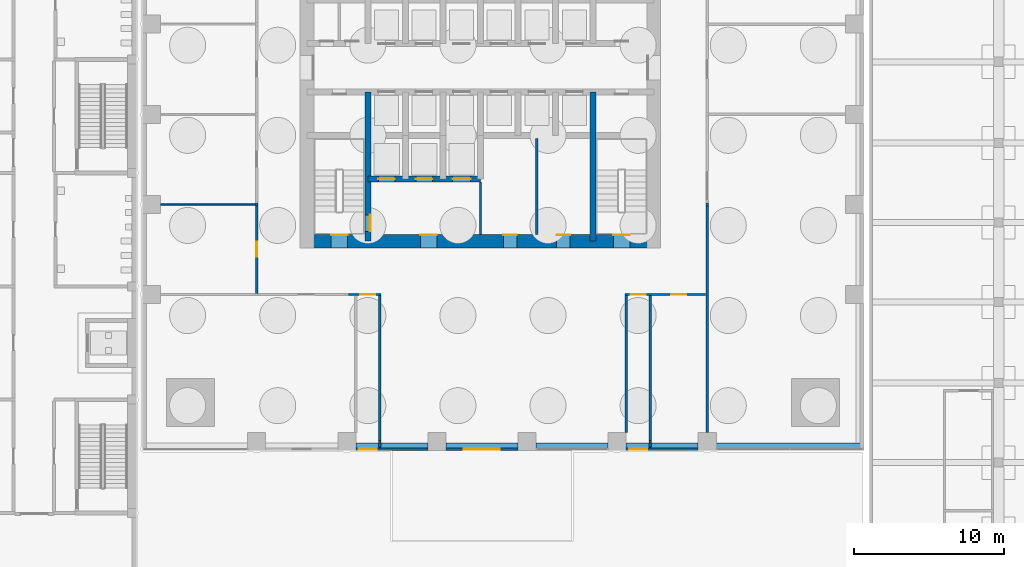
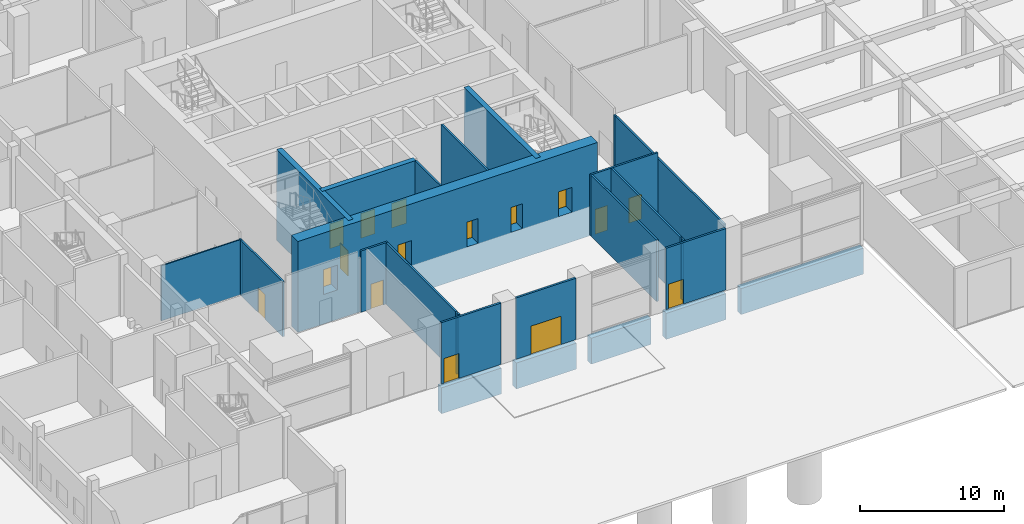
# One storey, part 11 of 33: 28 walls, 16 doors, 16 openings.
"""IFC4 building model written with IfcOpenShell, lengths in metres."""

from ifc_helpers import new_model, si_unit, direction, frame, frame_2d, origin, place, context, subcontext, project, spatial, rectangle, extrude, material, layer, layer_set, type_object, element, fill, save


model = new_model("IFC4")

# Units and contexts
model_context = context("Model", 3, precision=1e-05, world=origin(), true_north=direction((0.0, 1.0)))
body_context = subcontext(model_context, "Body", "Model", "MODEL_VIEW")
ifc_project = project(units=[si_unit("LENGTHUNIT", "METRE"), si_unit("AREAUNIT", "SQUARE_METRE"), si_unit("VOLUMEUNIT", "CUBIC_METRE"), si_unit("PLANEANGLEUNIT", "RADIAN"), si_unit("MASSUNIT", "GRAM", prefix="KILO")], contexts=[model_context])

# Site, building, storey
site_placement = place(None, origin())
site = spatial("IfcSite", under=ifc_project, at=site_placement, CompositionType="ELEMENT")
building_placement = place(site_placement, origin())
building = spatial("IfcBuilding", under=site, at=building_placement, Name="Amberfall Residences", CompositionType="ELEMENT")
storey_placement = place(building_placement, origin())
storey = spatial("IfcBuildingStorey", under=building, at=storey_placement, Name="L00", CompositionType="ELEMENT", Elevation=0.0)

# Wall, opening, door
ifc_material_1 = material(Name="Concrete C80", Category="concrete")
ifc_layer_1 = layer(ifc_material_1, 0.39990234375)
ifc_layer_set_1 = layer_set([ifc_layer_1], Name="Core wall 400 C80")
wall_type_1 = type_object("IfcWallType", Name="Core wall 400 C80", PredefinedType="SHEAR", material=ifc_layer_set_1)
wall_1_placement = place(storey_placement, frame((67.0, 33.949951171875, -2.5), z_axis=(0.0, 0.0, 1.0), x_axis=(0.0, 1.0, 0.0)))
wall_1 = element("IfcWall", 1, at=wall_1_placement, inside=storey, type_object=wall_type_1, Name="Core wall RW2 L00 V45S", PredefinedType="SHEAR", context=body_context, shape_type="SweptSolid", body=[
    extrude(rectangle(XDim=9.949951171875, YDim=0.39990234375, at=frame_2d((4.97509765625, 0.0))), origin(), (0.0, 0.0, 1.0), 7.699951171875),
])
opening_1_placement = place(wall_1_placement, frame((0.64990234375, 0.0, 2.5)))
opening_1 = element("IfcOpeningElement", 2, at=opening_1_placement, cuts=wall_1, Name="Opening FL1", PredefinedType="OPENING", context=body_context, shape_type="SweptSolid", body=[
    extrude(rectangle(XDim=1.10009765625, YDim=2.10009765625, at=frame_2d((0.550048828125, 1.050048828125))), frame((0.0, 0.2099609375, 0.0), z_axis=(0.0, -1.0, 0.0), x_axis=(1.0, 0.0, 0.0)), (0.0, 0.0, 1.0), 0.419921875),
])
ifc_material_2 = material(Name="Steel fire door set", Category="steel")
door_type_1 = type_object("IfcDoorType", Name="Firefighting lobby door 1100 x 2100", OperationType="SINGLE_SWING_LEFT", PredefinedType="DOOR", material=ifc_material_2)
door_1_placement = place(opening_1_placement, origin())
door_1 = element("IfcDoor", 3, at=door_1_placement, inside=storey, type_object=door_type_1, Name="FL1 L00", OperationType="SINGLE_SWING_RIGHT", OverallHeight=2.10009765625, OverallWidth=1.10009765625, PredefinedType="DOOR", context=body_context, shape_type="SweptSolid", body=[
    extrude(rectangle(XDim=1.10009765625, YDim=2.10009765625, at=frame_2d((0.550048828125, 1.050048828125))), frame((0.0, -0.1376953125, 0.0), z_axis=(0.0, -1.0, 0.0), x_axis=(1.0, 0.0, 0.0)), (0.0, 0.0, 1.0), 0.050048828125),
])
fill(opening_1, door_1)

# Wall
wall_2_placement = place(storey_placement, frame((82.0, 33.949951171875, -2.5), z_axis=(0.0, 0.0, 1.0), x_axis=(0.0, 1.0, 0.0)))
element("IfcWall", 4, at=wall_2_placement, inside=storey, type_object=wall_type_1, Name="Core wall RW2 L00 V195S", PredefinedType="SHEAR", context=body_context, shape_type="SweptSolid", body=[
    extrude(rectangle(XDim=9.949951171875, YDim=0.39990234375, at=frame_2d((4.97509765625, 0.0))), origin(), (0.0, 0.0, 1.0), 7.699951171875),
])

# Wall, openings, doors
wall_3_placement = place(storey_placement, frame((67.0, 38.10009765625, -2.5), z_axis=(0.0, 0.0, 1.0), x_axis=(1.0, 0.0, 0.0)))
wall_3 = element("IfcWall", 5, at=wall_3_placement, inside=storey, type_object=wall_type_1, Name="Core wall RW2 L00 FFF", PredefinedType="SHEAR", context=body_context, shape_type="SweptSolid", body=[
    extrude(rectangle(XDim=7.5, YDim=0.39990234375, at=frame_2d((3.75, 0.0))), origin(), (0.0, 0.0, 1.0), 7.699951171875),
])
opening_2_placement = place(wall_3_placement, frame((0.699951171875, 0.0, 2.5)))
opening_2 = element("IfcOpeningElement", 6, at=opening_2_placement, cuts=wall_3, Name="Opening LD2", PredefinedType="OPENING", context=body_context, shape_type="SweptSolid", body=[
    extrude(rectangle(XDim=1.10009765625, YDim=2.10009765625, at=frame_2d((0.550048828125, 1.050048828125))), frame((0.0, 0.2099609375, 0.0), z_axis=(0.0, -1.0, 0.0), x_axis=(1.0, 0.0, 0.0)), (0.0, 0.0, 1.0), 0.419921875),
])
opening_3_placement = place(wall_3_placement, frame((3.199951171875, 0.0, 2.5)))
opening_3 = element("IfcOpeningElement", 7, at=opening_3_placement, cuts=wall_3, Name="Opening LD2", PredefinedType="OPENING", context=body_context, shape_type="SweptSolid", body=[
    extrude(rectangle(XDim=1.10009765625, YDim=2.10009765625, at=frame_2d((0.550048828125, 1.050048828125))), frame((0.0, 0.2099609375, 0.0), z_axis=(0.0, -1.0, 0.0), x_axis=(1.0, 0.0, 0.0)), (0.0, 0.0, 1.0), 0.419921875),
])
opening_4_placement = place(wall_3_placement, frame((5.64990234375, 0.0, 2.5)))
opening_4 = element("IfcOpeningElement", 8, at=opening_4_placement, cuts=wall_3, Name="Opening LD3", PredefinedType="OPENING", context=body_context, shape_type="SweptSolid", body=[
    extrude(rectangle(XDim=1.199951171875, YDim=2.10009765625, at=frame_2d((0.60009765625, 1.050048828125))), frame((0.0, 0.2099609375, 0.0), z_axis=(0.0, -1.0, 0.0), x_axis=(1.0, 0.0, 0.0)), (0.0, 0.0, 1.0), 0.419921875),
])
door_type_2 = type_object("IfcDoorType", Name="Firefighting lift landing door 1100 x 2100", OperationType="DOUBLE_DOOR_SLIDING", PredefinedType="DOOR", material=ifc_material_2)
door_2_placement = place(opening_2_placement, origin())
door_2 = element("IfcDoor", 9, at=door_2_placement, inside=storey, type_object=door_type_2, Name="Landing door FF1 L00", OperationType="DOUBLE_DOOR_SLIDING", OverallHeight=2.10009765625, OverallWidth=1.10009765625, PredefinedType="DOOR", context=body_context, shape_type="SweptSolid", body=[
    extrude(rectangle(XDim=1.10009765625, YDim=2.10009765625, at=frame_2d((0.550048828125, 1.050048828125))), frame((0.0, 0.02490234375, 0.0), z_axis=(0.0, -1.0, 0.0), x_axis=(1.0, 0.0, 0.0)), (0.0, 0.0, 1.0), 0.050048828125),
])
fill(opening_2, door_2)
door_3_placement = place(opening_3_placement, origin())
door_3 = element("IfcDoor", 10, at=door_3_placement, inside=storey, type_object=door_type_2, Name="Landing door FF2 L00", OperationType="DOUBLE_DOOR_SLIDING", OverallHeight=2.10009765625, OverallWidth=1.10009765625, PredefinedType="DOOR", context=body_context, shape_type="SweptSolid", body=[
    extrude(rectangle(XDim=1.10009765625, YDim=2.10009765625, at=frame_2d((0.550048828125, 1.050048828125))), frame((0.0, 0.02490234375, 0.0), z_axis=(0.0, -1.0, 0.0), x_axis=(1.0, 0.0, 0.0)), (0.0, 0.0, 1.0), 0.050048828125),
])
fill(opening_3, door_3)
door_type_3 = type_object("IfcDoorType", Name="Service lift landing door 1200 x 2100", OperationType="DOUBLE_DOOR_SLIDING", PredefinedType="DOOR", material=ifc_material_2)
door_4_placement = place(opening_4_placement, origin())
door_4 = element("IfcDoor", 11, at=door_4_placement, inside=storey, type_object=door_type_3, Name="Landing door SL1 L00", OperationType="DOUBLE_DOOR_SLIDING", OverallHeight=2.10009765625, OverallWidth=1.199951171875, PredefinedType="DOOR", context=body_context, shape_type="SweptSolid", body=[
    extrude(rectangle(XDim=1.199951171875, YDim=2.10009765625, at=frame_2d((0.60009765625, 1.050048828125))), frame((0.0, 0.02490234375, 0.0), z_axis=(0.0, -1.0, 0.0), x_axis=(1.0, 0.0, 0.0)), (0.0, 0.0, 1.0), 0.050048828125),
])
fill(opening_4, door_4)

ifc_layer_2 = layer(ifc_material_1, 0.89990234375)
ifc_layer_set_2 = layer_set([ifc_layer_2], Name="Core wall 900 C80")
wall_type_2 = type_object("IfcWallType", Name="Core wall 900 C80", PredefinedType="SHEAR", material=ifc_layer_set_2)
wall_4_placement = place(storey_placement, frame((62.5, 33.949951171875, -2.5), z_axis=(0.0, 0.0, 1.0), x_axis=(1.0, 0.0, 0.0)))
wall_4 = element("IfcWall", 12, at=wall_4_placement, inside=storey, type_object=wall_type_2, Name="Core wall RW1 L00 OS", PredefinedType="SHEAR", context=body_context, shape_type="SweptSolid", body=[
    extrude(rectangle(XDim=24.0, YDim=0.89990234375, at=frame_2d((12.0, 0.0))), origin(), (0.0, 0.0, 1.0), 7.699951171875),
])
opening_5_placement = place(wall_4_placement, frame((2.050048828125, 0.0, 2.5)))
opening_5 = element("IfcOpeningElement", 13, at=opening_5_placement, cuts=wall_4, Name="Opening SD1", PredefinedType="OPENING", context=body_context, shape_type="SweptSolid", body=[
    extrude(rectangle(XDim=1.10009765625, YDim=2.10009765625, at=frame_2d((0.550048828125, 1.050048828125))), frame((0.0, 0.4599609375, 0.0), z_axis=(0.0, -1.0, 0.0), x_axis=(1.0, 0.0, 0.0)), (0.0, 0.0, 1.0), 0.919921875),
])
opening_6_placement = place(wall_4_placement, frame((20.85009765625, 0.0, 2.5)))
opening_6 = element("IfcOpeningElement", 14, at=opening_6_placement, cuts=wall_4, Name="Opening SD1", PredefinedType="OPENING", context=body_context, shape_type="SweptSolid", body=[
    extrude(rectangle(XDim=1.10009765625, YDim=2.10009765625, at=frame_2d((0.550048828125, 1.050048828125))), frame((0.0, 0.4599609375, 0.0), z_axis=(0.0, -1.0, 0.0), x_axis=(1.0, 0.0, 0.0)), (0.0, 0.0, 1.0), 0.919921875),
])
opening_7_placement = place(wall_4_placement, frame((8.0, 0.0, 2.5)))
opening_7 = element("IfcOpeningElement", 15, at=opening_7_placement, cuts=wall_4, Name="Opening FL1", PredefinedType="OPENING", context=body_context, shape_type="SweptSolid", body=[
    extrude(rectangle(XDim=1.10009765625, YDim=2.10009765625, at=frame_2d((0.550048828125, 1.050048828125))), frame((0.0, 0.4599609375, 0.0), z_axis=(0.0, -1.0, 0.0), x_axis=(1.0, 0.0, 0.0)), (0.0, 0.0, 1.0), 0.919921875),
])
opening_8_placement = place(wall_4_placement, frame((13.52490234375, 0.0, 2.5)))
opening_8 = element("IfcOpeningElement", 16, at=opening_8_placement, cuts=wall_4, Name="Opening RD1", PredefinedType="OPENING", context=body_context, shape_type="SweptSolid", body=[
    extrude(rectangle(XDim=0.89990234375, YDim=2.10009765625, at=frame_2d((0.449951171875, 1.050048828125))), frame((0.0, 0.4599609375, 0.0), z_axis=(0.0, -1.0, 0.0), x_axis=(1.0, 0.0, 0.0)), (0.0, 0.0, 1.0), 0.919921875),
])
opening_9_placement = place(wall_4_placement, frame((17.074951171875, 0.0, 2.5)))
opening_9 = element("IfcOpeningElement", 17, at=opening_9_placement, cuts=wall_4, Name="Opening RD1", PredefinedType="OPENING", context=body_context, shape_type="SweptSolid", body=[
    extrude(rectangle(XDim=0.89990234375, YDim=2.10009765625, at=frame_2d((0.449951171875, 1.050048828125))), frame((0.0, 0.4599609375, 0.0), z_axis=(0.0, -1.0, 0.0), x_axis=(1.0, 0.0, 0.0)), (0.0, 0.0, 1.0), 0.919921875),
])
door_5_placement = place(opening_7_placement, origin())
door_5 = element("IfcDoor", 18, at=door_5_placement, inside=storey, type_object=door_type_1, Name="FL1 L00", OperationType="SINGLE_SWING_LEFT", OverallHeight=2.10009765625, OverallWidth=1.10009765625, PredefinedType="DOOR", context=body_context, shape_type="SweptSolid", body=[
    extrude(rectangle(XDim=1.10009765625, YDim=2.10009765625, at=frame_2d((0.550048828125, 1.050048828125))), frame((0.0, 0.4375, 0.0), z_axis=(0.0, -1.0, 0.0), x_axis=(1.0, 0.0, 0.0)), (0.0, 0.0, 1.0), 0.050048828125),
])
fill(opening_7, door_5)
door_type_4 = type_object("IfcDoorType", Name="Service room door 900 x 2100", OperationType="SINGLE_SWING_LEFT", PredefinedType="DOOR", material=ifc_material_2)
door_6_placement = place(opening_8_placement, origin())
door_6 = element("IfcDoor", 19, at=door_6_placement, inside=storey, type_object=door_type_4, Name="RD1 L00", OperationType="SINGLE_SWING_LEFT", OverallHeight=2.10009765625, OverallWidth=0.89990234375, PredefinedType="DOOR", context=body_context, shape_type="SweptSolid", body=[
    extrude(rectangle(XDim=0.89990234375, YDim=2.10009765625, at=frame_2d((0.449951171875, 1.050048828125))), frame((0.0, 0.4375, 0.0), z_axis=(0.0, -1.0, 0.0), x_axis=(1.0, 0.0, 0.0)), (0.0, 0.0, 1.0), 0.050048828125),
])
fill(opening_8, door_6)
door_7_placement = place(opening_9_placement, origin())
door_7 = element("IfcDoor", 20, at=door_7_placement, inside=storey, type_object=door_type_4, Name="RD1 L00", OperationType="SINGLE_SWING_LEFT", OverallHeight=2.10009765625, OverallWidth=0.89990234375, PredefinedType="DOOR", context=body_context, shape_type="SweptSolid", body=[
    extrude(rectangle(XDim=0.89990234375, YDim=2.10009765625, at=frame_2d((0.449951171875, 1.050048828125))), frame((0.0, 0.4375, 0.0), z_axis=(0.0, -1.0, 0.0), x_axis=(1.0, 0.0, 0.0)), (0.0, 0.0, 1.0), 0.050048828125),
])
fill(opening_9, door_7)
door_type_5 = type_object("IfcDoorType", Name="Stair door 1100 x 2100", OperationType="SINGLE_SWING_LEFT", PredefinedType="DOOR", material=ifc_material_2)
door_8_placement = place(opening_5_placement, origin())
door_8 = element("IfcDoor", 21, at=door_8_placement, inside=storey, type_object=door_type_5, Name="SD1 L00", OperationType="SINGLE_SWING_LEFT", OverallHeight=2.10009765625, OverallWidth=1.10009765625, PredefinedType="DOOR", context=body_context, shape_type="SweptSolid", body=[
    extrude(rectangle(XDim=1.10009765625, YDim=2.10009765625, at=frame_2d((0.550048828125, 1.050048828125))), frame((0.0, 0.4375, 0.0), z_axis=(0.0, -1.0, 0.0), x_axis=(1.0, 0.0, 0.0)), (0.0, 0.0, 1.0), 0.050048828125),
])
fill(opening_5, door_8)
door_9_placement = place(opening_6_placement, origin())
door_9 = element("IfcDoor", 22, at=door_9_placement, inside=storey, type_object=door_type_5, Name="SD1 L00", OperationType="SINGLE_SWING_RIGHT", OverallHeight=2.10009765625, OverallWidth=1.10009765625, PredefinedType="DOOR", context=body_context, shape_type="SweptSolid", body=[
    extrude(rectangle(XDim=1.10009765625, YDim=2.10009765625, at=frame_2d((0.550048828125, 1.050048828125))), frame((0.0, 0.4375, 0.0), z_axis=(0.0, -1.0, 0.0), x_axis=(1.0, 0.0, 0.0)), (0.0, 0.0, 1.0), 0.050048828125),
])
fill(opening_6, door_9)

# Wall, opening, door
ifc_material_3 = material(Name="Bronze anodised aluminium frame", Category="aluminium")
ifc_layer_3 = layer(ifc_material_3, 0.159912109375)
ifc_layer_set_3 = layer_set([ifc_layer_3], Name="Entrance frame wall 160")
wall_type_3 = type_object("IfcWallType", Name="Entrance frame wall 160", PredefinedType="SOLIDWALL", material=ifc_layer_set_3)
wall_5_placement = place(storey_placement, frame((71.0, 20.10009765625, 0.0), z_axis=(0.0, 0.0, 1.0), x_axis=(-1.0, 0.0, 0.0)))
wall_5 = element("IfcWall", 23, at=wall_5_placement, inside=storey, type_object=wall_type_3, Name="Entrance frame wall S3", PredefinedType="SOLIDWALL", context=body_context, shape_type="SweptSolid", body=[
    extrude(rectangle(XDim=4.800048828125, YDim=0.159912109375, at=frame_2d((2.39990234375, 0.0))), origin(), (0.0, 0.0, 1.0), 5.199951171875),
])
opening_10_placement = place(wall_5_placement, frame((3.39990234375, 0.0, 0.0)))
opening_10 = element("IfcOpeningElement", 24, at=opening_10_placement, cuts=wall_5, Name="Opening D14", PredefinedType="OPENING", context=body_context, shape_type="SweptSolid", body=[
    extrude(rectangle(XDim=1.199951171875, YDim=2.10009765625, at=frame_2d((0.60009765625, 1.050048828125))), frame((0.0, 0.08984375, 0.0), z_axis=(0.0, -1.0, 0.0), x_axis=(1.0, 0.0, 0.0)), (0.0, 0.0, 1.0), 0.179931640625),
])
ifc_material_4 = material(Name="Galvanised steel door leaf", Category="steel")
door_type_6 = type_object("IfcDoorType", Name="External door 1200x2100", OperationType="SINGLE_SWING_LEFT", PredefinedType="DOOR", material=ifc_material_4)
door_10_placement = place(opening_10_placement, origin())
door_10 = element("IfcDoor", 25, at=door_10_placement, inside=storey, type_object=door_type_6, Name="Exit door", OperationType="SINGLE_SWING_LEFT", OverallHeight=2.10009765625, OverallWidth=1.199951171875, PredefinedType="DOOR", context=body_context, shape_type="SweptSolid", body=[
    extrude(rectangle(XDim=1.199951171875, YDim=2.10009765625, at=frame_2d((0.60009765625, 1.050048828125))), frame((0.0, 0.02490234375, 0.0), z_axis=(0.0, -1.0, 0.0), x_axis=(1.0, 0.0, 0.0)), (0.0, 0.0, 1.0), 0.050048828125),
])
fill(opening_10, door_10)

wall_6_placement = place(storey_placement, frame((72.199951171875, 20.10009765625, 0.0), z_axis=(0.0, 0.0, 1.0), x_axis=(1.0, 0.0, 0.0)))
wall_6 = element("IfcWall", 26, at=wall_6_placement, inside=storey, type_object=wall_type_3, Name="Entrance frame wall S4", PredefinedType="SOLIDWALL", context=body_context, shape_type="SweptSolid", body=[
    extrude(rectangle(XDim=4.800048828125, YDim=0.159912109375, at=frame_2d((2.39990234375, 0.0))), origin(), (0.0, 0.0, 1.0), 5.199951171875),
])
opening_11_placement = place(wall_6_placement, frame((1.199951171875, 0.0, 0.0)))
opening_11 = element("IfcOpeningElement", 27, at=opening_11_placement, cuts=wall_6, Name="Opening D8", PredefinedType="OPENING", context=body_context, shape_type="SweptSolid", body=[
    extrude(rectangle(XDim=2.39990234375, YDim=2.39990234375, at=frame_2d((1.199951171875, 1.199951171875))), frame((0.0, 0.08984375, 0.0), z_axis=(0.0, -1.0, 0.0), x_axis=(1.0, 0.0, 0.0)), (0.0, 0.0, 1.0), 0.179931640625),
])
ifc_material_5 = material(Name="Bronze framed toughened glass", Category="glass")
door_type_7 = type_object("IfcDoorType", Name="Entrance door 2400x2400", OperationType="DOUBLE_DOOR_SINGLE_SWING", PredefinedType="DOOR", material=ifc_material_5)
door_11_placement = place(opening_11_placement, origin())
door_11 = element("IfcDoor", 28, at=door_11_placement, inside=storey, type_object=door_type_7, Name="Entrance door", OperationType="DOUBLE_DOOR_SINGLE_SWING", OverallHeight=2.39990234375, OverallWidth=2.39990234375, PredefinedType="DOOR", context=body_context, shape_type="SweptSolid", body=[
    extrude(rectangle(XDim=2.39990234375, YDim=2.39990234375, at=frame_2d((1.199951171875, 1.199951171875))), frame((0.0, 0.02490234375, 0.0), z_axis=(0.0, -1.0, 0.0), x_axis=(1.0, 0.0, 0.0)), (0.0, 0.0, 1.0), 0.050048828125),
])
fill(opening_11, door_11)

wall_7_placement = place(storey_placement, frame((89.0, 20.10009765625, 0.0), z_axis=(0.0, 0.0, 1.0), x_axis=(-1.0, 0.0, 0.0)))
wall_7 = element("IfcWall", 29, at=wall_7_placement, inside=storey, type_object=wall_type_3, Name="Entrance frame wall S6", PredefinedType="SOLIDWALL", context=body_context, shape_type="SweptSolid", body=[
    extrude(rectangle(XDim=4.800048828125, YDim=0.159912109375, at=frame_2d((2.39990234375, 0.0))), origin(), (0.0, 0.0, 1.0), 5.199951171875),
])
opening_12_placement = place(wall_7_placement, frame((3.39990234375, 0.0, 0.0)))
opening_12 = element("IfcOpeningElement", 30, at=opening_12_placement, cuts=wall_7, Name="Opening D14", PredefinedType="OPENING", context=body_context, shape_type="SweptSolid", body=[
    extrude(rectangle(XDim=1.199951171875, YDim=2.10009765625, at=frame_2d((0.60009765625, 1.050048828125))), frame((0.0, 0.08984375, 0.0), z_axis=(0.0, -1.0, 0.0), x_axis=(1.0, 0.0, 0.0)), (0.0, 0.0, 1.0), 0.179931640625),
])
door_12_placement = place(opening_12_placement, origin())
door_12 = element("IfcDoor", 31, at=door_12_placement, inside=storey, type_object=door_type_6, Name="Exit door", OperationType="SINGLE_SWING_LEFT", OverallHeight=2.10009765625, OverallWidth=1.199951171875, PredefinedType="DOOR", context=body_context, shape_type="SweptSolid", body=[
    extrude(rectangle(XDim=1.199951171875, YDim=2.10009765625, at=frame_2d((0.60009765625, 1.050048828125))), frame((0.0, 0.02490234375, 0.0), z_axis=(0.0, -1.0, 0.0), x_axis=(1.0, 0.0, 0.0)), (0.0, 0.0, 1.0), 0.050048828125),
])
fill(opening_12, door_12)

# Walls
ifc_material_6 = material(Name="Concrete C45", Category="concrete")
ifc_layer_4 = layer(ifc_material_6, 0.5)
ifc_layer_set_4 = layer_set([ifc_layer_4], Name="Foundation plinth wall 500 C45")
wall_type_4 = type_object("IfcWallType", Name="Foundation plinth wall 500 C45", PredefinedType="SOLIDWALL", material=ifc_layer_set_4)
for number, where, z_axis, x_axis, name in (
    (32, (66.199951171875, 20.25, -2.5), (0.0, 0.0, 1.0), (1.0, 0.0, 0.0), "Foundation plinth wall FW1 S3"),
    (33, (72.199951171875, 20.25, -2.5), (0.0, 0.0, 1.0), (1.0, 0.0, 0.0), "Foundation plinth wall FW1 S4"),
    (34, (78.199951171875, 20.25, -2.5), (0.0, 0.0, 1.0), (1.0, 0.0, 0.0), "Foundation plinth wall FW1 S5"),
    (35, (84.199951171875, 20.25, -2.5), (0.0, 0.0, 1.0), (1.0, 0.0, 0.0), "Foundation plinth wall FW1 S6"),
):
    element("IfcWall", number, at=place(storey_placement, frame(where, z_axis=z_axis, x_axis=x_axis)), inside=storey, type_object=wall_type_4, Name=name, PredefinedType="SOLIDWALL", context=body_context, shape_type="SweptSolid", body=[
        extrude(rectangle(XDim=4.800048828125, YDim=0.5, at=frame_2d((2.39990234375, 0.0))), origin(), (0.0, 0.0, 1.0), 2.199951171875),
    ])
wall_8_placement = place(storey_placement, frame((90.199951171875, 20.25, -2.5), z_axis=(0.0, 0.0, 1.0), x_axis=(1.0, 0.0, 0.0)))
element("IfcWall", 36, at=wall_8_placement, inside=storey, type_object=wall_type_4, Name="Foundation plinth wall FW1 S7", PredefinedType="SOLIDWALL", context=body_context, shape_type="SweptSolid", body=[
    extrude(rectangle(XDim=9.800048828125, YDim=0.5, at=frame_2d((4.89990234375, 0.0))), origin(), (0.0, 0.0, 1.0), 2.199951171875),
])
ifc_material_7 = material(Name="Gypsum board on steel studs", Category="steel")
ifc_layer_5 = layer(ifc_material_7, 0.10009765625)
ifc_layer_set_5 = layer_set([ifc_layer_5], Name="Partition 100")
wall_type_5 = type_object("IfcWallType", Name="Partition 100", PredefinedType="PARTITIONING", material=ifc_layer_set_5)
wall_9_placement = place(storey_placement, frame((53.199951171875, 36.39990234375, 0.0), z_axis=(0.0, 0.0, 1.0), x_axis=(1.0, 0.0, 0.0)))
element("IfcWall", 37, at=wall_9_placement, inside=storey, type_object=wall_type_5, Name="Partition 100 L00 001", PredefinedType="PARTITIONING", context=body_context, shape_type="SweptSolid", body=[
    extrude(rectangle(XDim=6.324951171875, YDim=0.10009765625, at=frame_2d((3.16259765625, 0.0))), origin(), (0.0, 0.0, 1.0), 4.6669921875),
])

# Wall, opening, door
ifc_material_8 = material(Name="Fire-rated gypsum board on steel studs", Category="steel")
ifc_layer_6 = layer(ifc_material_8, 0.14990234375)
ifc_layer_set_6 = layer_set([ifc_layer_6], Name="Partition 150 fire-rated")
wall_type_6 = type_object("IfcWallType", Name="Partition 150 fire-rated", PredefinedType="PARTITIONING", material=ifc_layer_set_6)
wall_10_placement = place(storey_placement, frame((65.705322265625, 30.39990234375, 0.0), z_axis=(0.0, 0.0, 1.0), x_axis=(1.0, 0.0, 0.0)))
wall_10 = element("IfcWall", 38, at=wall_10_placement, inside=storey, type_object=wall_type_6, Name="Partition 150 fire-rated L00 005", PredefinedType="PARTITIONING", context=body_context, shape_type="SweptSolid", body=[
    extrude(rectangle(XDim=2.169677734375, YDim=0.14990234375, at=frame_2d((1.0849609375, 0.0))), origin(), (0.0, 0.0, 1.0), 5.199951171875),
])
opening_13_placement = place(wall_10_placement, frame((0.794677734375, 0.0, 0.0)))
opening_13 = element("IfcOpeningElement", 39, at=opening_13_placement, cuts=wall_10, Name="Opening D2", PredefinedType="OPENING", context=body_context, shape_type="SweptSolid", body=[
    extrude(rectangle(XDim=1.0, YDim=2.10009765625, at=frame_2d((0.5, 1.050048828125))), frame((0.0, 0.0849609375, 0.0), z_axis=(0.0, -1.0, 0.0), x_axis=(1.0, 0.0, 0.0)), (0.0, 0.0, 1.0), 0.169921875),
])
ifc_material_9 = material(Name="Steel fire door leaf", Category="steel")
door_type_8 = type_object("IfcDoorType", Name="Fire door 1000x2100 FD30S", OperationType="SINGLE_SWING_LEFT", PredefinedType="DOOR", material=ifc_material_9)
door_13_placement = place(opening_13_placement, origin())
door_13 = element("IfcDoor", 40, at=door_13_placement, inside=storey, type_object=door_type_8, Name="Door Exit passage 1", OperationType="SINGLE_SWING_LEFT", OverallHeight=2.10009765625, OverallWidth=1.0, PredefinedType="DOOR", context=body_context, shape_type="SweptSolid", body=[
    extrude(rectangle(XDim=1.0, YDim=2.10009765625, at=frame_2d((0.5, 1.050048828125))), frame((0.0, 0.02490234375, 0.0), z_axis=(0.0, -1.0, 0.0), x_axis=(1.0, 0.0, 0.0)), (0.0, 0.0, 1.0), 0.050048828125),
])
fill(opening_13, door_13)

# Wall, openings, doors
wall_11_placement = place(storey_placement, frame((84.125, 30.39990234375, 0.0), z_axis=(0.0, 0.0, 1.0), x_axis=(1.0, 0.0, 0.0)))
wall_11 = element("IfcWall", 41, at=wall_11_placement, inside=storey, type_object=wall_type_6, Name="Partition 150 fire-rated L00 006", PredefinedType="PARTITIONING", context=body_context, shape_type="SweptSolid", body=[
    extrude(rectangle(XDim=5.36962890625, YDim=0.14990234375, at=frame_2d((2.684814453125, 0.0))), origin(), (0.0, 0.0, 1.0), 5.199951171875),
])
opening_14_placement = place(wall_11_placement, frame((0.375, 0.0, 0.0)))
opening_14 = element("IfcOpeningElement", 42, at=opening_14_placement, cuts=wall_11, Name="Opening D2", PredefinedType="OPENING", context=body_context, shape_type="SweptSolid", body=[
    extrude(rectangle(XDim=1.0, YDim=2.10009765625, at=frame_2d((0.5, 1.050048828125))), frame((0.0, 0.0849609375, 0.0), z_axis=(0.0, -1.0, 0.0), x_axis=(1.0, 0.0, 0.0)), (0.0, 0.0, 1.0), 0.169921875),
])
opening_15_placement = place(wall_11_placement, frame((3.074951171875, 0.0, 0.0)))
opening_15 = element("IfcOpeningElement", 43, at=opening_15_placement, cuts=wall_11, Name="Opening D2", PredefinedType="OPENING", context=body_context, shape_type="SweptSolid", body=[
    extrude(rectangle(XDim=1.0, YDim=2.10009765625, at=frame_2d((0.5, 1.050048828125))), frame((0.0, 0.0849609375, 0.0), z_axis=(0.0, -1.0, 0.0), x_axis=(1.0, 0.0, 0.0)), (0.0, 0.0, 1.0), 0.169921875),
])
door_14_placement = place(opening_14_placement, origin())
door_14 = element("IfcDoor", 44, at=door_14_placement, inside=storey, type_object=door_type_8, Name="Door Exit passage 2", OperationType="SINGLE_SWING_LEFT", OverallHeight=2.10009765625, OverallWidth=1.0, PredefinedType="DOOR", context=body_context, shape_type="SweptSolid", body=[
    extrude(rectangle(XDim=1.0, YDim=2.10009765625, at=frame_2d((0.5, 1.050048828125))), frame((0.0, 0.02490234375, 0.0), z_axis=(0.0, -1.0, 0.0), x_axis=(1.0, 0.0, 0.0)), (0.0, 0.0, 1.0), 0.050048828125),
])
fill(opening_14, door_14)
door_15_placement = place(opening_15_placement, origin())
door_15 = element("IfcDoor", 45, at=door_15_placement, inside=storey, type_object=door_type_8, Name="Door Fire control centre", OperationType="SINGLE_SWING_LEFT", OverallHeight=2.10009765625, OverallWidth=1.0, PredefinedType="DOOR", context=body_context, shape_type="SweptSolid", body=[
    extrude(rectangle(XDim=1.0, YDim=2.10009765625, at=frame_2d((0.5, 1.050048828125))), frame((0.0, 0.02490234375, 0.0), z_axis=(0.0, -1.0, 0.0), x_axis=(1.0, 0.0, 0.0)), (0.0, 0.0, 1.0), 0.050048828125),
])
fill(opening_15, door_15)

# Wall, opening, door
wall_12_placement = place(storey_placement, frame((59.60009765625, 30.47509765625, 0.0), z_axis=(0.0, 0.0, 1.0), x_axis=(0.0, 1.0, 0.0)))
wall_12 = element("IfcWall", 46, at=wall_12_placement, inside=storey, type_object=wall_type_6, Name="Partition 150 fire-rated L00 023", PredefinedType="PARTITIONING", context=body_context, shape_type="SweptSolid", body=[
    extrude(rectangle(XDim=5.8203125, YDim=0.14990234375, at=frame_2d((2.91015625, 0.0))), origin(), (0.0, 0.0, 1.0), 4.659912109375),
])
opening_16_placement = place(wall_12_placement, frame((2.425048828125, 0.0, 0.0)))
opening_16 = element("IfcOpeningElement", 47, at=opening_16_placement, cuts=wall_12, Name="Opening D2", PredefinedType="OPENING", context=body_context, shape_type="SweptSolid", body=[
    extrude(rectangle(XDim=1.0, YDim=2.10009765625, at=frame_2d((0.5, 1.050048828125))), frame((0.0, 0.0849609375, 0.0), z_axis=(0.0, -1.0, 0.0), x_axis=(1.0, 0.0, 0.0)), (0.0, 0.0, 1.0), 0.169921875),
])
door_16_placement = place(opening_16_placement, origin())
door_16 = element("IfcDoor", 48, at=door_16_placement, inside=storey, type_object=door_type_8, Name="Door Property management office", OperationType="SINGLE_SWING_LEFT", OverallHeight=2.10009765625, OverallWidth=1.0, PredefinedType="DOOR", context=body_context, shape_type="SweptSolid", body=[
    extrude(rectangle(XDim=1.0, YDim=2.10009765625, at=frame_2d((0.5, 1.050048828125))), frame((0.0, 0.02490234375, 0.0), z_axis=(0.0, -1.0, 0.0), x_axis=(1.0, 0.0, 0.0)), (0.0, 0.0, 1.0), 0.050048828125),
])
fill(opening_16, door_16)

# Walls
wall_13_placement = place(storey_placement, frame((59.60009765625, 36.30029296875, 0.0), z_axis=(0.0, 0.0, 1.0), x_axis=(0.0, 1.0, 0.0)))
element("IfcWall", 49, at=wall_13_placement, inside=storey, type_object=wall_type_6, Name="Partition 150 fire-rated L00 024", PredefinedType="PARTITIONING", context=body_context, shape_type="SweptSolid", body=[
    extrude(rectangle(XDim=0.204345703125, YDim=0.14990234375, at=frame_2d((0.10205078125, 0.0))), origin(), (0.0, 0.0, 1.0), 4.6669921875),
])
wall_14_placement = place(storey_placement, frame((67.800048828125, 20.260009765625, 0.0), z_axis=(0.0, 0.0, 1.0), x_axis=(0.0, 1.0, 0.0)))
element("IfcWall", 50, at=wall_14_placement, inside=storey, type_object=wall_type_6, Name="Partition 150 fire-rated L00 037", PredefinedType="PARTITIONING", context=body_context, shape_type="SweptSolid", body=[
    extrude(rectangle(XDim=0.2451171875, YDim=0.14990234375, at=frame_2d((0.12255859375, 0.0))), origin(), (0.0, 0.0, 1.0), 5.199951171875),
])
wall_15_placement = place(storey_placement, frame((67.800048828125, 20.505126953125, 0.0), z_axis=(0.0, 0.0, 1.0), x_axis=(0.0, 1.0, 0.0)))
element("IfcWall", 51, at=wall_15_placement, inside=storey, type_object=wall_type_6, Name="Partition 150 fire-rated L00 038", PredefinedType="PARTITIONING", context=body_context, shape_type="SweptSolid", body=[
    extrude(rectangle(XDim=0.18994140625, YDim=0.14990234375, at=frame_2d((0.094970703125, 0.0))), origin(), (0.0, 0.0, 1.0), 4.7470703125),
])
wall_16_placement = place(storey_placement, frame((67.800048828125, 20.695068359375, 0.0), z_axis=(0.0, 0.0, 1.0), x_axis=(0.0, 1.0, 0.0)))
element("IfcWall", 52, at=wall_16_placement, inside=storey, type_object=wall_type_6, Name="Partition 150 fire-rated L00 039", PredefinedType="PARTITIONING", context=body_context, shape_type="SweptSolid", body=[
    extrude(rectangle(XDim=9.6298828125, YDim=0.14990234375, at=frame_2d((4.81494140625, 0.0))), origin(), (0.0, 0.0, 1.0), 5.199951171875),
])
wall_17_placement = place(storey_placement, frame((84.199951171875, 21.199951171875, 0.0), z_axis=(0.0, 0.0, 1.0), x_axis=(0.0, 1.0, 0.0)))
element("IfcWall", 53, at=wall_17_placement, inside=storey, type_object=wall_type_6, Name="Partition 150 fire-rated L00 044", PredefinedType="PARTITIONING", context=body_context, shape_type="SweptSolid", body=[
    extrude(rectangle(XDim=9.125, YDim=0.14990234375, at=frame_2d((4.5625, 0.0))), origin(), (0.0, 0.0, 1.0), 5.199951171875),
])
wall_18_placement = place(storey_placement, frame((85.800048828125, 20.260009765625, 0.0), z_axis=(0.0, 0.0, 1.0), x_axis=(0.0, 1.0, 0.0)))
element("IfcWall", 54, at=wall_18_placement, inside=storey, type_object=wall_type_6, Name="Partition 150 fire-rated L00 045", PredefinedType="PARTITIONING", context=body_context, shape_type="SweptSolid", body=[
    extrude(rectangle(XDim=0.2451171875, YDim=0.14990234375, at=frame_2d((0.12255859375, 0.0))), origin(), (0.0, 0.0, 1.0), 5.199951171875),
])
wall_19_placement = place(storey_placement, frame((85.800048828125, 20.505126953125, 0.0), z_axis=(0.0, 0.0, 1.0), x_axis=(0.0, 1.0, 0.0)))
element("IfcWall", 55, at=wall_19_placement, inside=storey, type_object=wall_type_6, Name="Partition 150 fire-rated L00 046", PredefinedType="PARTITIONING", context=body_context, shape_type="SweptSolid", body=[
    extrude(rectangle(XDim=0.18994140625, YDim=0.14990234375, at=frame_2d((0.094970703125, 0.0))), origin(), (0.0, 0.0, 1.0), 4.7470703125),
])
wall_20_placement = place(storey_placement, frame((85.800048828125, 20.695068359375, 0.0), z_axis=(0.0, 0.0, 1.0), x_axis=(0.0, 1.0, 0.0)))
element("IfcWall", 56, at=wall_20_placement, inside=storey, type_object=wall_type_6, Name="Partition 150 fire-rated L00 047", PredefinedType="PARTITIONING", context=body_context, shape_type="SweptSolid", body=[
    extrude(rectangle(XDim=9.6298828125, YDim=0.14990234375, at=frame_2d((4.81494140625, 0.0))), origin(), (0.0, 0.0, 1.0), 5.199951171875),
])
wall_21_placement = place(storey_placement, frame((89.60009765625, 21.199951171875, 0.0), z_axis=(0.0, 0.0, 1.0), x_axis=(0.0, 1.0, 0.0)))
element("IfcWall", 57, at=wall_21_placement, inside=storey, type_object=wall_type_6, Name="Partition 150 fire-rated L00 048", PredefinedType="PARTITIONING", context=body_context, shape_type="SweptSolid", body=[
    extrude(rectangle(XDim=15.0947265625, YDim=0.14990234375, at=frame_2d((7.54736328125, 0.0))), origin(), (0.0, 0.0, 1.0), 4.659912109375),
])
wall_22_placement = place(storey_placement, frame((89.60009765625, 36.299560546875, 0.0), z_axis=(0.0, 0.0, 1.0), x_axis=(0.0, 1.0, 0.0)))
element("IfcWall", 58, at=wall_22_placement, inside=storey, type_object=wall_type_6, Name="Partition 150 fire-rated L00 049", PredefinedType="PARTITIONING", context=body_context, shape_type="SweptSolid", body=[
    extrude(rectangle(XDim=0.205810546875, YDim=0.14990234375, at=frame_2d((0.10302734375, 0.0))), origin(), (0.0, 0.0, 1.0), 4.659912109375),
])
ifc_material_10 = material(Name="Concrete blockwork", Category="masonry")
ifc_layer_7 = layer(ifc_material_10, 0.14990234375)
ifc_layer_set_7 = layer_set([ifc_layer_7], Name="Riser wall 150")
wall_type_7 = type_object("IfcWallType", Name="Riser wall 150", PredefinedType="PLUMBINGWALL", material=ifc_layer_set_7)
wall_23_placement = place(storey_placement, frame((74.5, 34.39990234375, 0.0), z_axis=(0.0, 0.0, 1.0), x_axis=(0.0, 1.0, 0.0)))
element("IfcWall", 59, at=wall_23_placement, inside=storey, type_object=wall_type_7, Name="L00 core wall PX", PredefinedType="PLUMBINGWALL", context=body_context, shape_type="SweptSolid", body=[
    extrude(rectangle(XDim=3.5, YDim=0.14990234375, at=frame_2d((1.75, 0.0))), origin(), (0.0, 0.0, 1.0), 5.199951171875),
])
wall_24_placement = place(storey_placement, frame((78.25, 34.39990234375, 0.0), z_axis=(0.0, 0.0, 1.0), x_axis=(0.0, 1.0, 0.0)))
element("IfcWall", 60, at=wall_24_placement, inside=storey, type_object=wall_type_7, Name="L00 core wall E0", PredefinedType="PLUMBINGWALL", context=body_context, shape_type="SweptSolid", body=[
    extrude(rectangle(XDim=6.400146484375, YDim=0.14990234375, at=frame_2d((3.2001953125, 0.0))), origin(), (0.0, 0.0, 1.0), 5.199951171875),
])

save(model, "model.ifc")
